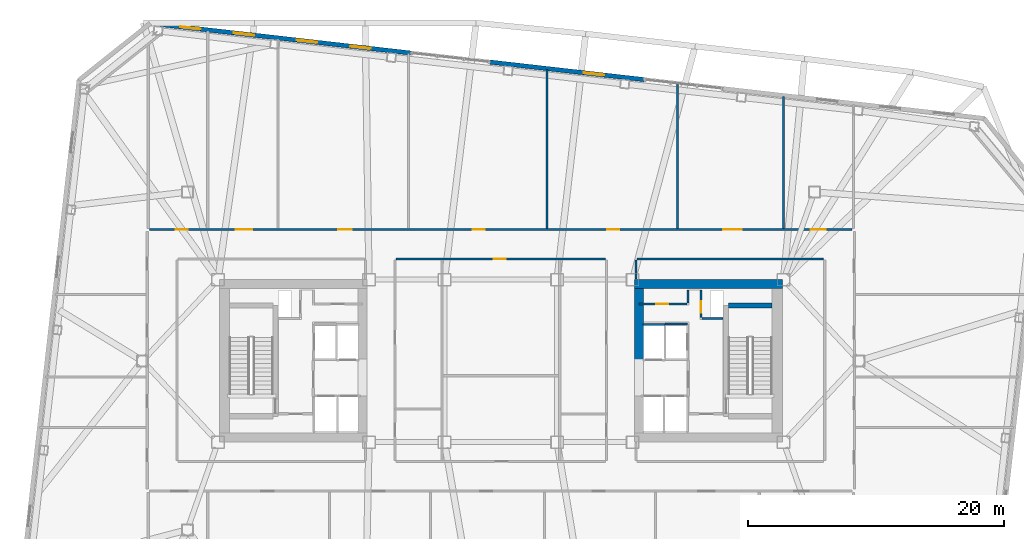
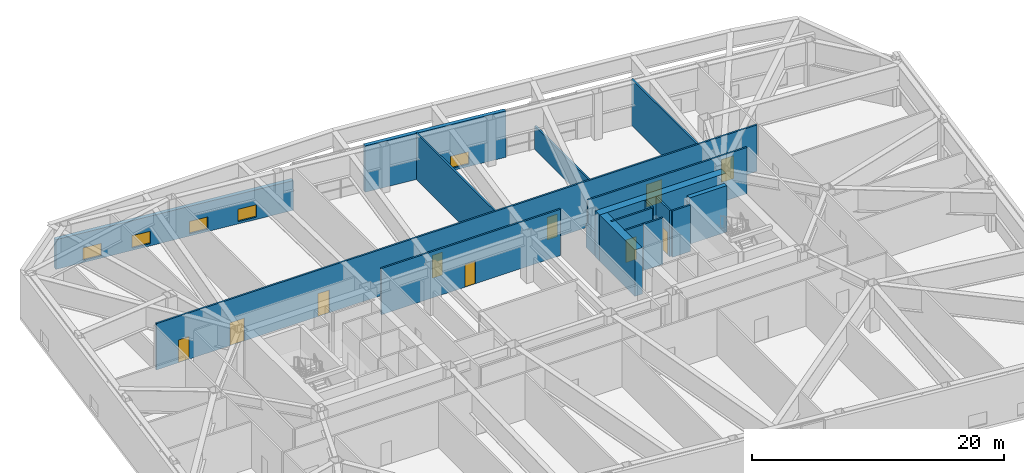
# One storey, part 13 of 19: 18 walls, 10 doors, 5 windows, 15 openings.
"""IFC4 building model written with IfcOpenShell, lengths in metres."""

from ifc_helpers import new_model, si_unit, direction, frame, frame_2d, origin, place, context, subcontext, project, spatial, rectangle, extrude, material, layer, layer_set, type_object, element, fill, save


model = new_model("IFC4")

# Units and contexts
model_context = context("Model", 3, precision=1e-05, world=origin(), true_north=direction((0.0, 1.0)))
body_context = subcontext(model_context, "Body", "Model", "MODEL_VIEW")
ifc_project = project(units=[si_unit("LENGTHUNIT", "METRE"), si_unit("AREAUNIT", "SQUARE_METRE"), si_unit("VOLUMEUNIT", "CUBIC_METRE"), si_unit("PLANEANGLEUNIT", "RADIAN"), si_unit("MASSUNIT", "GRAM", prefix="KILO")], contexts=[model_context])

# Site, building, storey
site_placement = place(None, origin())
site = spatial("IfcSite", under=ifc_project, at=site_placement, CompositionType="ELEMENT")
building_placement = place(site_placement, origin())
building = spatial("IfcBuilding", under=site, at=building_placement, Name="Tavrogorsk Clinical Tower", CompositionType="ELEMENT")
storey_placement = place(building_placement, frame((0.0, 0.0, 141.39990234375)))
storey = spatial("IfcBuildingStorey", under=building, at=storey_placement, Name="L32", CompositionType="ELEMENT", Elevation=141.39990234375)

# Wall, opening, door
ifc_material_1 = material(Name="Lightweight concrete blockwork B15", Category="masonry")
ifc_layer_1 = layer(ifc_material_1, 0.159912109375)
ifc_layer_set_1 = layer_set([ifc_layer_1], Name="Lightweight concrete blockwork B15")
wall_type_1 = type_object("IfcWallType", Name="PartitionWall_160", PredefinedType="PARTITIONING", material=ifc_layer_set_1)
wall_1_placement = place(storey_placement, frame((10.800048828125, 4.4599609375, 0.0), z_axis=(0.0, 0.0, 1.0), x_axis=(1.0, 0.0, 0.0)))
wall_1 = element("IfcWall", 1, at=wall_1_placement, inside=storey, type_object=wall_type_1, Name="L32 Core East Pneumatic Dispatch South Wall", PredefinedType="PARTITIONING", context=body_context, shape_type="SweptSolid", body=[
    extrude(rectangle(XDim=3.7548828125, YDim=0.159912109375, at=frame_2d((1.87744140625, 0.0))), origin(), (0.0, 0.0, 1.0), 4.47998046875),
])
opening_1_placement = place(wall_1_placement, frame((1.35009765625, 0.0, 0.0)))
opening_1 = element("IfcOpeningElement", 2, at=opening_1_placement, cuts=wall_1, Name="Opening ID-02", PredefinedType="OPENING", context=body_context, shape_type="SweptSolid", body=[
    extrude(rectangle(XDim=0.949951171875, YDim=2.199951171875, at=frame_2d((0.47509765625, 1.10009765625))), frame((0.0, 0.08984375, 0.0), z_axis=(0.0, -1.0, 0.0), x_axis=(1.0, 0.0, 0.0)), (0.0, 0.0, 1.0), 0.179931640625),
])
ifc_material_2 = material(Name="Laminated timber leaf on aluminium frame", Category="wood")
door_type_1 = type_object("IfcDoorType", Name="InteriorDoor_ID02_950", OperationType="NOTDEFINED", PredefinedType="DOOR", material=ifc_material_2)
door_1_placement = place(opening_1_placement, origin())
door_1 = element("IfcDoor", 3, at=door_1_placement, inside=storey, type_object=door_type_1, Name="L32 Core East Pneumatic Dispatch Door", OperationType="SINGLE_SWING_LEFT", OverallHeight=2.199951171875, OverallWidth=0.949951171875, PredefinedType="DOOR", context=body_context, shape_type="SweptSolid", body=[
    extrude(rectangle(XDim=0.949951171875, YDim=2.199951171875, at=frame_2d((0.47509765625, 1.10009765625))), frame((0.0, 0.02490234375, 0.0), z_axis=(0.0, -1.0, 0.0), x_axis=(1.0, 0.0, 0.0)), (0.0, 0.0, 1.0), 0.050048828125),
])
fill(opening_1, door_1)

# Wall
wall_2_placement = place(storey_placement, frame((14.639892578125, 4.544921875, 0.0), z_axis=(0.0, 0.0, 1.0), x_axis=(0.0, 1.0, 0.0)))
element("IfcWall", 4, at=wall_2_placement, inside=storey, type_object=wall_type_1, Name="L32 Core East Pneumatic Dispatch East Wall", PredefinedType="PARTITIONING", context=body_context, shape_type="SweptSolid", body=[
    extrude(rectangle(XDim=1.01513671875, YDim=0.159912109375, at=frame_2d((0.507568359375, 0.0))), origin(), (0.0, 0.0, 1.0), 4.47998046875),
])

# Wall, openings, doors
wall_3_placement = place(storey_placement, frame((-27.465087890625, 10.280029296875, 0.0), z_axis=(0.0, 0.0, 1.0), x_axis=(1.0, 0.0, 0.0)))
wall_3 = element("IfcWall", 5, at=wall_3_placement, inside=storey, type_object=wall_type_1, Name="L32 Corridor Partition 02", PredefinedType="PARTITIONING", context=body_context, shape_type="SweptSolid", body=[
    extrude(rectangle(XDim=54.93017578125, YDim=0.159912109375, at=frame_2d((27.465087890625, 0.0))), origin(), (0.0, 0.0, 1.0), 4.47998046875),
])
opening_2_placement = place(wall_3_placement, frame((2.044189453125, 0.0, 0.0)))
opening_2 = element("IfcOpeningElement", 6, at=opening_2_placement, cuts=wall_3, Name="Opening ID-02", PredefinedType="OPENING", context=body_context, shape_type="SweptSolid", body=[
    extrude(rectangle(XDim=0.949951171875, YDim=2.199951171875, at=frame_2d((0.47509765625, 1.10009765625))), frame((0.0, 0.08984375, 0.0), z_axis=(0.0, -1.0, 0.0), x_axis=(1.0, 0.0, 0.0)), (0.0, 0.0, 1.0), 0.179931640625),
])
opening_3_placement = place(wall_3_placement, frame((6.75, 0.0, 0.0)))
opening_3 = element("IfcOpeningElement", 7, at=opening_3_placement, cuts=wall_3, Name="Opening ID-01", PredefinedType="OPENING", context=body_context, shape_type="SweptSolid", body=[
    extrude(rectangle(XDim=1.300048828125, YDim=2.199951171875, at=frame_2d((0.64990234375, 1.10009765625))), frame((0.0, 0.08984375, 0.0), z_axis=(0.0, -1.0, 0.0), x_axis=(1.0, 0.0, 0.0)), (0.0, 0.0, 1.0), 0.179931640625),
])
opening_4_placement = place(wall_3_placement, frame((14.77490234375, 0.0, 0.0)))
opening_4 = element("IfcOpeningElement", 8, at=opening_4_placement, cuts=wall_3, Name="Opening ID-04", PredefinedType="OPENING", context=body_context, shape_type="SweptSolid", body=[
    extrude(rectangle(XDim=1.050048828125, YDim=2.199951171875, at=frame_2d((0.52490234375, 1.10009765625))), frame((0.0, 0.08984375, 0.0), z_axis=(0.0, -1.0, 0.0), x_axis=(1.0, 0.0, 0.0)), (0.0, 0.0, 1.0), 0.179931640625),
])
opening_5_placement = place(wall_3_placement, frame((25.27490234375, 0.0, 0.0)))
opening_5 = element("IfcOpeningElement", 9, at=opening_5_placement, cuts=wall_3, Name="Opening ID-02", PredefinedType="OPENING", context=body_context, shape_type="SweptSolid", body=[
    extrude(rectangle(XDim=0.949951171875, YDim=2.199951171875, at=frame_2d((0.47509765625, 1.10009765625))), frame((0.0, 0.08984375, 0.0), z_axis=(0.0, -1.0, 0.0), x_axis=(1.0, 0.0, 0.0)), (0.0, 0.0, 1.0), 0.179931640625),
])
opening_6_placement = place(wall_3_placement, frame((35.77490234375, 0.0, 0.0)))
opening_6 = element("IfcOpeningElement", 10, at=opening_6_placement, cuts=wall_3, Name="Opening ID-02", PredefinedType="OPENING", context=body_context, shape_type="SweptSolid", body=[
    extrude(rectangle(XDim=0.949951171875, YDim=2.199951171875, at=frame_2d((0.47509765625, 1.10009765625))), frame((0.0, 0.08984375, 0.0), z_axis=(0.0, -1.0, 0.0), x_axis=(1.0, 0.0, 0.0)), (0.0, 0.0, 1.0), 0.179931640625),
])
opening_7_placement = place(wall_3_placement, frame((44.85009765625, 0.0, 0.0)))
opening_7 = element("IfcOpeningElement", 11, at=opening_7_placement, cuts=wall_3, Name="Opening ID-05", PredefinedType="OPENING", context=body_context, shape_type="SweptSolid", body=[
    extrude(rectangle(XDim=1.449951171875, YDim=2.199951171875, at=frame_2d((0.72509765625, 1.10009765625))), frame((0.0, 0.08984375, 0.0), z_axis=(0.0, -1.0, 0.0), x_axis=(1.0, 0.0, 0.0)), (0.0, 0.0, 1.0), 0.179931640625),
])
opening_8_placement = place(wall_3_placement, frame((51.705810546875, 0.0, 0.0)))
opening_8 = element("IfcOpeningElement", 12, at=opening_8_placement, cuts=wall_3, Name="Opening ID-06", PredefinedType="OPENING", context=body_context, shape_type="SweptSolid", body=[
    extrude(rectangle(XDim=1.14990234375, YDim=2.199951171875, at=frame_2d((0.574951171875, 1.10009765625))), frame((0.0, 0.08984375, 0.0), z_axis=(0.0, -1.0, 0.0), x_axis=(1.0, 0.0, 0.0)), (0.0, 0.0, 1.0), 0.179931640625),
])
ifc_material_3 = material(Name="Antibacterial HPL consultation door on aluminium frame", Category="aluminium")
door_type_2 = type_object("IfcDoorType", Name="ConsultDoor_ID04_1050", OperationType="NOTDEFINED", PredefinedType="DOOR", material=ifc_material_3)
door_2_placement = place(opening_4_placement, origin())
door_2 = element("IfcDoor", 13, at=door_2_placement, inside=storey, type_object=door_type_2, Name="L32 North Physician Consultation Office 03 Door", OperationType="SINGLE_SWING_LEFT", OverallHeight=2.199951171875, OverallWidth=1.050048828125, PredefinedType="DOOR", context=body_context, shape_type="SweptSolid", body=[
    extrude(rectangle(XDim=1.050048828125, YDim=2.199951171875, at=frame_2d((0.52490234375, 1.10009765625))), frame((0.0, 0.02490234375, 0.0), z_axis=(0.0, -1.0, 0.0), x_axis=(1.0, 0.0, 0.0)), (0.0, 0.0, 1.0), 0.050048828125),
])
fill(opening_4, door_2)
ifc_material_4 = material(Name="Antibacterial HPL bariatric ward double door")
door_type_3 = type_object("IfcDoorType", Name="DoubleWardDoor_ID05_1450", OperationType="DOUBLE_SWING_LEFT", PredefinedType="DOOR", material=ifc_material_4)
door_3_placement = place(opening_7_placement, origin())
door_3 = element("IfcDoor", 14, at=door_3_placement, inside=storey, type_object=door_type_3, Name="L32 North Sub-Acute Recovery Ward 06 Door", OperationType="DOUBLE_SWING_LEFT", OverallHeight=2.199951171875, OverallWidth=1.449951171875, PredefinedType="DOOR", context=body_context, shape_type="SweptSolid", body=[
    extrude(rectangle(XDim=1.449951171875, YDim=2.199951171875, at=frame_2d((0.72509765625, 1.10009765625))), frame((0.0, 0.02490234375, 0.0), z_axis=(0.0, -1.0, 0.0), x_axis=(1.0, 0.0, 0.0)), (0.0, 0.0, 1.0), 0.050048828125),
])
fill(opening_7, door_3)
door_4_placement = place(opening_2_placement, origin())
door_4 = element("IfcDoor", 15, at=door_4_placement, inside=storey, type_object=door_type_1, Name="L32 North Physiotherapy Rehab Studio 01 Door", OperationType="SINGLE_SWING_LEFT", OverallHeight=2.199951171875, OverallWidth=0.949951171875, PredefinedType="DOOR", context=body_context, shape_type="SweptSolid", body=[
    extrude(rectangle(XDim=0.949951171875, YDim=2.199951171875, at=frame_2d((0.47509765625, 1.10009765625))), frame((0.0, 0.02490234375, 0.0), z_axis=(0.0, -1.0, 0.0), x_axis=(1.0, 0.0, 0.0)), (0.0, 0.0, 1.0), 0.050048828125),
])
fill(opening_2, door_4)
door_5_placement = place(opening_5_placement, origin())
door_5 = element("IfcDoor", 16, at=door_5_placement, inside=storey, type_object=door_type_1, Name="L32 Sky-Lobby Panorama Lounge 4 Door", OperationType="SINGLE_SWING_RIGHT", OverallHeight=2.199951171875, OverallWidth=0.949951171875, PredefinedType="DOOR", context=body_context, shape_type="SweptSolid", body=[
    extrude(rectangle(XDim=0.949951171875, YDim=2.199951171875, at=frame_2d((0.47509765625, 1.10009765625))), frame((0.0, 0.02490234375, 0.0), z_axis=(0.0, -1.0, 0.0), x_axis=(1.0, 0.0, 0.0)), (0.0, 0.0, 1.0), 0.050048828125),
])
fill(opening_5, door_5)
door_6_placement = place(opening_6_placement, origin())
door_6 = element("IfcDoor", 17, at=door_6_placement, inside=storey, type_object=door_type_1, Name="L32 Sky-Lobby Panorama Lounge 5 Door", OperationType="SINGLE_SWING_LEFT", OverallHeight=2.199951171875, OverallWidth=0.949951171875, PredefinedType="DOOR", context=body_context, shape_type="SweptSolid", body=[
    extrude(rectangle(XDim=0.949951171875, YDim=2.199951171875, at=frame_2d((0.47509765625, 1.10009765625))), frame((0.0, 0.02490234375, 0.0), z_axis=(0.0, -1.0, 0.0), x_axis=(1.0, 0.0, 0.0)), (0.0, 0.0, 1.0), 0.050048828125),
])
fill(opening_6, door_6)
ifc_material_5 = material(Name="Antibacterial HPL procedure door on aluminium frame", Category="aluminium")
door_type_4 = type_object("IfcDoorType", Name="LabDoor_ID06_1150", OperationType="NOTDEFINED", PredefinedType="DOOR", material=ifc_material_5)
door_7_placement = place(opening_8_placement, origin())
door_7 = element("IfcDoor", 18, at=door_7_placement, inside=storey, type_object=door_type_4, Name="L32 North Multidisciplinary Case Room 07 Door", OperationType="SINGLE_SWING_LEFT", OverallHeight=2.199951171875, OverallWidth=1.14990234375, PredefinedType="DOOR", context=body_context, shape_type="SweptSolid", body=[
    extrude(rectangle(XDim=1.14990234375, YDim=2.199951171875, at=frame_2d((0.574951171875, 1.10009765625))), frame((0.0, 0.02490234375, 0.0), z_axis=(0.0, -1.0, 0.0), x_axis=(1.0, 0.0, 0.0)), (0.0, 0.0, 1.0), 0.050048828125),
])
fill(opening_8, door_7)
ifc_material_6 = material(Name="Antibacterial HPL medical leaf on aluminium frame", Category="aluminium")
door_type_5 = type_object("IfcDoorType", Name="WardBedDoor_ID01_1300", OperationType="NOTDEFINED", PredefinedType="DOOR", material=ifc_material_6)
door_8_placement = place(opening_3_placement, origin())
door_8 = element("IfcDoor", 19, at=door_8_placement, inside=storey, type_object=door_type_5, Name="L32 North Step-Down Telemetry Ward 02 Door", OperationType="SINGLE_SWING_RIGHT", OverallHeight=2.199951171875, OverallWidth=1.300048828125, PredefinedType="DOOR", context=body_context, shape_type="SweptSolid", body=[
    extrude(rectangle(XDim=1.300048828125, YDim=2.199951171875, at=frame_2d((0.64990234375, 1.10009765625))), frame((0.0, 0.02490234375, 0.0), z_axis=(0.0, -1.0, 0.0), x_axis=(1.0, 0.0, 0.0)), (0.0, 0.0, 1.0), 0.050048828125),
])
fill(opening_3, door_8)

# Walls
wall_4_placement = place(storey_placement, frame((25.235107421875, 7.969970703125, 0.0), z_axis=(0.0, 0.0, 1.0), x_axis=(-1.0, 0.0, 0.0)))
element("IfcWall", 20, at=wall_4_placement, inside=storey, type_object=wall_type_1, Name="L32 Corridor Partition 05", PredefinedType="PARTITIONING", context=body_context, shape_type="SweptSolid", body=[
    extrude(rectangle(XDim=14.570068359375, YDim=0.159912109375, at=frame_2d((7.28515625, 0.0))), origin(), (0.0, 0.0, 1.0), 4.47998046875),
])
wall_5_placement = place(storey_placement, frame((10.580078125, 7.885009765625, 0.0), z_axis=(0.0, 0.0, 1.0), x_axis=(0.0, -1.0, 0.0)))
element("IfcWall", 21, at=wall_5_placement, inside=storey, type_object=wall_type_1, Name="L32 Corridor Partition 06", PredefinedType="PARTITIONING", context=body_context, shape_type="SweptSolid", body=[
    extrude(rectangle(XDim=1.465087890625, YDim=0.159912109375, at=frame_2d((0.732421875, 0.0))), origin(), (0.0, 0.0, 1.0), 2.275146484375),
])

# Wall, opening, door
wall_6_placement = place(storey_placement, frame((8.18505859375, 7.969970703125, 0.0), z_axis=(0.0, 0.0, 1.0), x_axis=(-1.0, 0.0, 0.0)))
wall_6 = element("IfcWall", 22, at=wall_6_placement, inside=storey, type_object=wall_type_1, Name="L32 Corridor Partition 11", PredefinedType="PARTITIONING", context=body_context, shape_type="SweptSolid", body=[
    extrude(rectangle(XDim=16.3701171875, YDim=0.159912109375, at=frame_2d((8.18505859375, 0.0))), origin(), (0.0, 0.0, 1.0), 4.47998046875),
])
opening_9_placement = place(wall_6_placement, frame((7.794921875, 0.0, 0.0)))
opening_9 = element("IfcOpeningElement", 23, at=opening_9_placement, cuts=wall_6, Name="Opening ID-02", PredefinedType="OPENING", context=body_context, shape_type="SweptSolid", body=[
    extrude(rectangle(XDim=0.949951171875, YDim=2.199951171875, at=frame_2d((0.47509765625, 1.10009765625))), frame((0.0, 0.08984375, 0.0), z_axis=(0.0, -1.0, 0.0), x_axis=(1.0, 0.0, 0.0)), (0.0, 0.0, 1.0), 0.179931640625),
])
door_9_placement = place(opening_9_placement, origin())
door_9 = element("IfcDoor", 24, at=door_9_placement, inside=storey, type_object=door_type_1, Name="L32 Nurses' Station & Triage Hub Door", OperationType="SINGLE_SWING_RIGHT", OverallHeight=2.199951171875, OverallWidth=0.949951171875, PredefinedType="DOOR", context=body_context, shape_type="SweptSolid", body=[
    extrude(rectangle(XDim=0.949951171875, YDim=2.199951171875, at=frame_2d((0.47509765625, 1.10009765625))), frame((0.0, 0.02490234375, 0.0), z_axis=(0.0, -1.0, 0.0), x_axis=(1.0, 0.0, 0.0)), (0.0, 0.0, 1.0), 0.050048828125),
])
fill(opening_9, door_9)

# Walls
wall_7_placement = place(storey_placement, frame((3.60009765625, 10.364990234375, 0.0), z_axis=(0.0, 0.0, 1.0), x_axis=(0.0, 1.0, 0.0)))
element("IfcWall", 25, at=wall_7_placement, inside=storey, type_object=wall_type_1, Name="L32 North Room Partition 4", PredefinedType="PARTITIONING", context=body_context, shape_type="SweptSolid", body=[
    extrude(rectangle(XDim=12.417236328125, YDim=0.159912109375, at=frame_2d((6.20849609375, 0.0))), origin(), (0.0, 0.0, 1.0), 4.47998046875),
])
wall_8_placement = place(storey_placement, frame((13.800048828125, 10.364990234375, 0.0), z_axis=(0.0, 0.0, 1.0), x_axis=(0.0, 1.0, 0.0)))
element("IfcWall", 26, at=wall_8_placement, inside=storey, type_object=wall_type_1, Name="L32 North Room Partition 5", PredefinedType="PARTITIONING", context=body_context, shape_type="SweptSolid", body=[
    extrude(rectangle(XDim=11.255126953125, YDim=0.159912109375, at=frame_2d((5.62744140625, 0.0))), origin(), (0.0, 0.0, 1.0), 2.275146484375),
])
wall_9_placement = place(storey_placement, frame((22.10009765625, 10.364990234375, 0.0), z_axis=(0.0, 0.0, 1.0), x_axis=(0.0, 1.0, 0.0)))
element("IfcWall", 27, at=wall_9_placement, inside=storey, type_object=wall_type_1, Name="L32 North Room Partition 6", PredefinedType="PARTITIONING", context=body_context, shape_type="SweptSolid", body=[
    extrude(rectangle(XDim=10.309326171875, YDim=0.159912109375, at=frame_2d((5.15478515625, 0.0))), origin(), (0.0, 0.0, 1.0), 4.47998046875),
])

# Wall, opening, window
ifc_material_7 = material(Name="Precast concrete B45 with limestone cladding", Category="masonry")
ifc_layer_2 = layer(ifc_material_7, 0.340087890625)
ifc_layer_set_2 = layer_set([ifc_layer_2], Name="Precast concrete B45 with limestone cladding")
wall_type_2 = type_object("IfcWallType", Name="PrecastLimestoneWall_340", PredefinedType="STANDARD", material=ifc_layer_set_2)
wall_10_placement = place(storey_placement, frame((11.226318359375, 21.983642578125, 0.0), z_axis=(0.0, 0.0, 1.0), x_axis=(-0.993571202571, 0.113208945853, 0.0)))
wall_10 = element("IfcWall", 28, at=wall_10_placement, inside=storey, type_object=wall_type_2, Name="L32 N Limestone Facade Wall 2", PredefinedType="STANDARD", context=body_context, shape_type="SweptSolid", body=[
    extrude(rectangle(XDim=12.154296875, YDim=0.340087890625, at=frame_2d((6.0771484375, 0.0))), origin(), (0.0, 0.0, 1.0), 4.47998046875),
])
opening_10_placement = place(wall_10_placement, frame((3.16650390625, 0.0, 0.219970703125)))
opening_10 = element("IfcOpeningElement", 29, at=opening_10_placement, cuts=wall_10, Name="Opening WN-09", PredefinedType="OPENING", context=body_context, shape_type="SweptSolid", body=[
    extrude(rectangle(XDim=1.60009765625, YDim=1.199951171875, at=frame_2d((0.800048828125, 0.60009765625))), frame((0.0, 0.179931640625, 0.0), z_axis=(0.0, -1.0, 0.0), x_axis=(1.0, 0.0, 0.0)), (0.0, 0.0, 1.0), 0.360107421875),
])
ifc_material_8 = material(Name="Thermally broken aluminium frame and triple IGU", Category="aluminium")
window_type = type_object("IfcWindowType", Name="LowHeadTransWin_1600x1200", PartitioningType="DOUBLE_PANEL_VERTICAL", PredefinedType="WINDOW", material=ifc_material_8)
window_1_placement = place(opening_10_placement, origin())
window_1 = element("IfcWindow", 30, at=window_1_placement, inside=storey, type_object=window_type, Name="L32 N Chicago Window 06", OverallHeight=1.199951171875, OverallWidth=1.60009765625, PartitioningType="SINGLE_PANEL", PredefinedType="WINDOW", context=body_context, shape_type="SweptSolid", body=[
    extrude(rectangle(XDim=1.60009765625, YDim=1.199951171875, at=frame_2d((0.800048828125, 0.60009765625))), frame((0.0, 0.030029296875, 0.0), z_axis=(0.0, -1.0, 0.0), x_axis=(1.0, 0.0, 0.0)), (0.0, 0.0, 1.0), 0.06005859375),
])
fill(opening_10, window_1)

# Wall, openings, windows
wall_11_placement = place(storey_placement, frame((-7.010009765625, 24.0615234375, 0.0), z_axis=(0.0, 0.0, 1.0), x_axis=(-0.993571877006, 0.113203026563, 0.0)))
wall_11 = element("IfcWall", 31, at=wall_11_placement, inside=storey, type_object=wall_type_2, Name="L32 N Limestone Facade Wall 3", PredefinedType="STANDARD", context=body_context, shape_type="SweptSolid", body=[
    extrude(rectangle(XDim=20.522705078125, YDim=0.340087890625, at=frame_2d((10.26123046875, 0.0))), origin(), (0.0, 0.0, 1.0), 2.875),
])
opening_11_placement = place(wall_11_placement, frame((16.56494140625, 0.0, 0.219970703125)))
opening_11 = element("IfcOpeningElement", 32, at=opening_11_placement, cuts=wall_11, Name="Opening WN-09", PredefinedType="OPENING", context=body_context, shape_type="SweptSolid", body=[
    extrude(rectangle(XDim=1.60009765625, YDim=1.199951171875, at=frame_2d((0.800048828125, 0.60009765625))), frame((0.0, 0.179931640625, 0.0), z_axis=(0.0, -1.0, 0.0), x_axis=(1.0, 0.0, 0.0)), (0.0, 0.0, 1.0), 0.360107421875),
])
opening_12_placement = place(wall_11_placement, frame((12.343505859375, 0.0, 0.219970703125)))
opening_12 = element("IfcOpeningElement", 33, at=opening_12_placement, cuts=wall_11, Name="Opening WN-09", PredefinedType="OPENING", context=body_context, shape_type="SweptSolid", body=[
    extrude(rectangle(XDim=1.60009765625, YDim=1.199951171875, at=frame_2d((0.800048828125, 0.60009765625))), frame((0.0, 0.179931640625, 0.0), z_axis=(0.0, -1.0, 0.0), x_axis=(1.0, 0.0, 0.0)), (0.0, 0.0, 1.0), 0.360107421875),
])
opening_13_placement = place(wall_11_placement, frame((7.387939453125, 0.0, 0.219970703125)))
opening_13 = element("IfcOpeningElement", 34, at=opening_13_placement, cuts=wall_11, Name="Opening WN-09", PredefinedType="OPENING", context=body_context, shape_type="SweptSolid", body=[
    extrude(rectangle(XDim=1.60009765625, YDim=1.199951171875, at=frame_2d((0.800048828125, 0.60009765625))), frame((0.0, 0.179931640625, 0.0), z_axis=(0.0, -1.0, 0.0), x_axis=(1.0, 0.0, 0.0)), (0.0, 0.0, 1.0), 0.360107421875),
])
opening_14_placement = place(wall_11_placement, frame((3.16650390625, 0.0, 0.219970703125)))
opening_14 = element("IfcOpeningElement", 35, at=opening_14_placement, cuts=wall_11, Name="Opening WN-09", PredefinedType="OPENING", context=body_context, shape_type="SweptSolid", body=[
    extrude(rectangle(XDim=1.60009765625, YDim=1.199951171875, at=frame_2d((0.800048828125, 0.60009765625))), frame((0.0, 0.179931640625, 0.0), z_axis=(0.0, -1.0, 0.0), x_axis=(1.0, 0.0, 0.0)), (0.0, 0.0, 1.0), 0.360107421875),
])
window_2_placement = place(opening_11_placement, origin())
window_2 = element("IfcWindow", 36, at=window_2_placement, inside=storey, type_object=window_type, Name="L32 N Chicago Window 01", OverallHeight=1.199951171875, OverallWidth=1.60009765625, PartitioningType="SINGLE_PANEL", PredefinedType="WINDOW", context=body_context, shape_type="SweptSolid", body=[
    extrude(rectangle(XDim=1.60009765625, YDim=1.199951171875, at=frame_2d((0.800048828125, 0.60009765625))), frame((0.0, 0.030029296875, 0.0), z_axis=(0.0, -1.0, 0.0), x_axis=(1.0, 0.0, 0.0)), (0.0, 0.0, 1.0), 0.06005859375),
])
fill(opening_11, window_2)
window_3_placement = place(opening_12_placement, origin())
window_3 = element("IfcWindow", 37, at=window_3_placement, inside=storey, type_object=window_type, Name="L32 N Chicago Window 02", OverallHeight=1.199951171875, OverallWidth=1.60009765625, PartitioningType="SINGLE_PANEL", PredefinedType="WINDOW", context=body_context, shape_type="SweptSolid", body=[
    extrude(rectangle(XDim=1.60009765625, YDim=1.199951171875, at=frame_2d((0.800048828125, 0.60009765625))), frame((0.0, 0.030029296875, 0.0), z_axis=(0.0, -1.0, 0.0), x_axis=(1.0, 0.0, 0.0)), (0.0, 0.0, 1.0), 0.06005859375),
])
fill(opening_12, window_3)
window_4_placement = place(opening_13_placement, origin())
window_4 = element("IfcWindow", 38, at=window_4_placement, inside=storey, type_object=window_type, Name="L32 N Chicago Window 03", OverallHeight=1.199951171875, OverallWidth=1.60009765625, PartitioningType="SINGLE_PANEL", PredefinedType="WINDOW", context=body_context, shape_type="SweptSolid", body=[
    extrude(rectangle(XDim=1.60009765625, YDim=1.199951171875, at=frame_2d((0.800048828125, 0.60009765625))), frame((0.0, 0.030029296875, 0.0), z_axis=(0.0, -1.0, 0.0), x_axis=(1.0, 0.0, 0.0)), (0.0, 0.0, 1.0), 0.06005859375),
])
fill(opening_13, window_4)
window_5_placement = place(opening_14_placement, origin())
window_5 = element("IfcWindow", 39, at=window_5_placement, inside=storey, type_object=window_type, Name="L32 N Chicago Window 04", OverallHeight=1.199951171875, OverallWidth=1.60009765625, PartitioningType="SINGLE_PANEL", PredefinedType="WINDOW", context=body_context, shape_type="SweptSolid", body=[
    extrude(rectangle(XDim=1.60009765625, YDim=1.199951171875, at=frame_2d((0.800048828125, 0.60009765625))), frame((0.0, 0.030029296875, 0.0), z_axis=(0.0, -1.0, 0.0), x_axis=(1.0, 0.0, 0.0)), (0.0, 0.0, 1.0), 0.06005859375),
])
fill(opening_14, window_5)

# Walls
ifc_material_9 = material(Name="Lightweight concrete blockwork B25", Category="masonry")
ifc_layer_3 = layer(ifc_material_9, 0.159912109375)
ifc_layer_set_3 = layer_set([ifc_layer_3], Name="Lightweight concrete blockwork B25")
wall_type_3 = type_object("IfcWallType", Name="ShaftWall_160", PredefinedType="PARTITIONING", material=ifc_layer_set_3)
wall_12_placement = place(storey_placement, frame((12.840087890625, 2.8798828125, 0.0), z_axis=(0.0, 0.0, 1.0), x_axis=(1.0, 0.0, 0.0)))
element("IfcWall", 40, at=wall_12_placement, inside=storey, type_object=wall_type_3, Name="L32 FFL-E Shaft North Wall", PredefinedType="PARTITIONING", context=body_context, shape_type="SweptSolid", body=[
    extrude(rectangle(XDim=1.760009765625, YDim=0.159912109375, at=frame_2d((0.8798828125, 0.0))), origin(), (0.0, 0.0, 1.0), 4.47998046875),
])
wall_13_placement = place(storey_placement, frame((11.10009765625, 2.860107421875, 0.0), z_axis=(0.0, 0.0, 1.0), x_axis=(1.0, 0.0, 0.0)))
element("IfcWall", 41, at=wall_13_placement, inside=storey, type_object=wall_type_3, Name="L32 LP-H2 High-Zone Lift Rear Wall", PredefinedType="PARTITIONING", context=body_context, shape_type="SweptSolid", body=[
    extrude(rectangle(XDim=1.719970703125, YDim=0.159912109375, at=frame_2d((0.85986328125, 0.0))), origin(), (0.0, 0.0, 1.0), 4.47998046875),
])

# Wall, opening, door
wall_14_placement = place(storey_placement, frame((15.639892578125, 3.405029296875, 0.0), z_axis=(0.0, 0.0, 1.0), x_axis=(0.0, 1.0, 0.0)))
wall_14 = element("IfcWall", 42, at=wall_14_placement, inside=storey, type_object=wall_type_3, Name="L32 Core East Riser West Wall", PredefinedType="PARTITIONING", context=body_context, shape_type="SweptSolid", body=[
    extrude(rectangle(XDim=2.155029296875, YDim=0.159912109375, at=frame_2d((1.07763671875, 0.0))), origin(), (0.0, 0.0, 1.0), 4.47998046875),
])
opening_15_placement = place(wall_14_placement, frame((0.35009765625, 0.0, 0.0)))
opening_15 = element("IfcOpeningElement", 43, at=opening_15_placement, cuts=wall_14, Name="Opening FD-02", PredefinedType="OPENING", context=body_context, shape_type="SweptSolid", body=[
    extrude(rectangle(XDim=0.89990234375, YDim=2.199951171875, at=frame_2d((0.449951171875, 1.10009765625))), frame((0.0, 0.08984375, 0.0), z_axis=(0.0, -1.0, 0.0), x_axis=(1.0, 0.0, 0.0)), (0.0, 0.0, 1.0), 0.179931640625),
])
ifc_material_10 = material(Name="Galvanised steel fire-rated door assembly", Category="steel")
door_type_6 = type_object("IfcDoorType", Name="FireDoor_FD02_900", OperationType="NOTDEFINED", PredefinedType="DOOR", material=ifc_material_10)
door_10_placement = place(opening_15_placement, origin())
door_10 = element("IfcDoor", 44, at=door_10_placement, inside=storey, type_object=door_type_6, Name="L32 Core East Electrical Riser Access Door", OperationType="SINGLE_SWING_LEFT", OverallHeight=2.199951171875, OverallWidth=0.89990234375, PredefinedType="DOOR", context=body_context, shape_type="SweptSolid", body=[
    extrude(rectangle(XDim=0.89990234375, YDim=2.199951171875, at=frame_2d((0.449951171875, 1.10009765625))), frame((0.0, 0.02490234375, 0.0), z_axis=(0.0, -1.0, 0.0), x_axis=(1.0, 0.0, 0.0)), (0.0, 0.0, 1.0), 0.050048828125),
])
fill(opening_15, door_10)

# Walls
wall_15_placement = place(storey_placement, frame((15.72509765625, 3.320068359375, 0.0), z_axis=(0.0, 0.0, 1.0), x_axis=(1.0, 0.0, 0.0)))
element("IfcWall", 45, at=wall_15_placement, inside=storey, type_object=wall_type_3, Name="L32 Core East Riser South Wall", PredefinedType="PARTITIONING", context=body_context, shape_type="SweptSolid", body=[
    extrude(rectangle(XDim=1.65478515625, YDim=0.159912109375, at=frame_2d((0.827392578125, 0.0))), origin(), (0.0, 0.0, 1.0), 4.47998046875),
])
ifc_material_11 = material(Name="Concrete B80", Category="concrete")
ifc_layer_4 = layer(ifc_material_11, 0.39990234375)
ifc_layer_set_4 = layer_set([ifc_layer_4], Name="Concrete B80")
wall_type_4 = type_object("IfcWallType", Name="ShearWall_400", PredefinedType="SHEAR", material=ifc_layer_set_4)
wall_16_placement = place(storey_placement, frame((17.800048828125, 4.324951171875, 0.0), z_axis=(0.0, 0.0, 1.0), x_axis=(1.0, 0.0, 0.0)))
element("IfcWall", 46, at=wall_16_placement, inside=storey, type_object=wall_type_4, Name="L32 Core East Stair Shaft North Shear Wall", PredefinedType="SHEAR", context=body_context, shape_type="SweptSolid", body=[
    extrude(rectangle(XDim=3.39990234375, YDim=0.39990234375, at=frame_2d((1.699951171875, 0.0))), origin(), (0.0, 0.0, 1.0), 4.47998046875),
])
ifc_material_12 = material(Name="Concrete B80", Category="concrete")
ifc_layer_5 = layer(ifc_material_12, 0.699951171875)
ifc_layer_set_5 = layer_set([ifc_layer_5], Name="Concrete B80")
wall_type_5 = type_object("IfcWallType", Name="ShearWall_700", PredefinedType="SHEAR", material=ifc_layer_set_5)
wall_17_placement = place(storey_placement, frame((10.449951171875, 6.0, 0.0), z_axis=(0.0, 0.0, 1.0), x_axis=(1.0, 0.0, 0.0)))
element("IfcWall", 47, at=wall_17_placement, inside=storey, type_object=wall_type_5, Name="L32 Core East North Shear Wall", PredefinedType="SHEAR", context=body_context, shape_type="SweptSolid", body=[
    extrude(rectangle(XDim=11.550048828125, YDim=0.699951171875, at=frame_2d((5.77490234375, 0.0))), origin(), (0.0, 0.0, 1.0), 4.47998046875),
])
wall_18_placement = place(storey_placement, frame((10.800048828125, 0.050048828125, 0.0), z_axis=(0.0, 0.0, 1.0), x_axis=(0.0, 1.0, 0.0)))
element("IfcWall", 48, at=wall_18_placement, inside=storey, type_object=wall_type_5, Name="L32 Core East Inner North Pier", PredefinedType="SHEAR", context=body_context, shape_type="SweptSolid", body=[
    extrude(rectangle(XDim=5.599853515625, YDim=0.699951171875, at=frame_2d((2.7998046875, 0.0))), origin(), (0.0, 0.0, 1.0), 4.47998046875),
])

save(model, "model.ifc")
